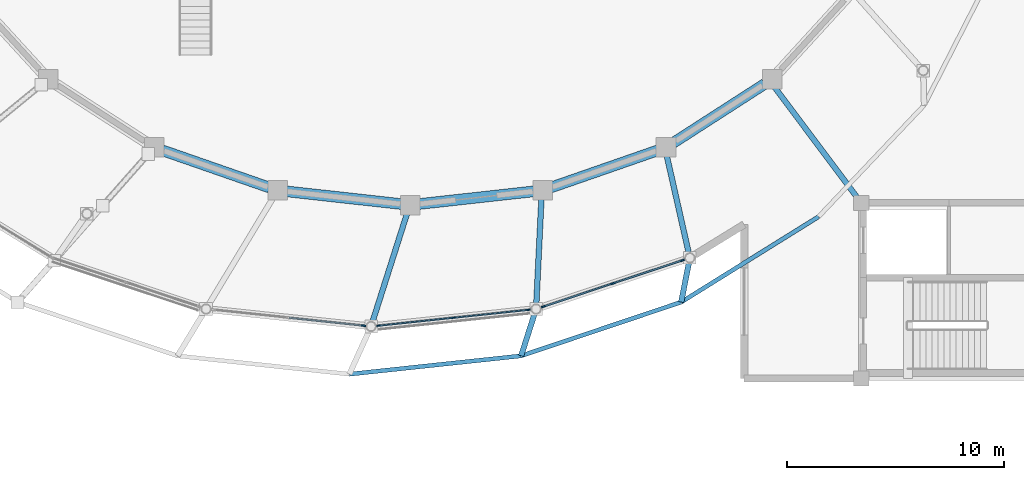
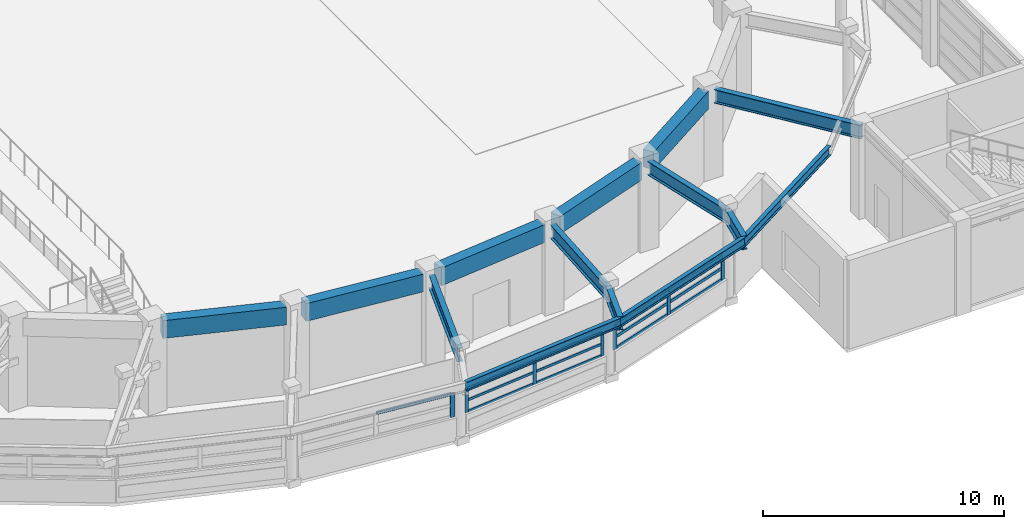
# One storey, part 12 of 56: 20 members, 14 beams, 3 elements without a shape of their own.
"""IFC4 building model written with IfcOpenShell, lengths in metres."""

from ifc_helpers import new_model, si_unit, direction, frame, origin, origin_2d, place, context, subcontext, project, spatial, rectangle, i_section, extrude, material, material_profile, profile_set, type_object, element, aggregate, save


model = new_model("IFC4")

# Units and contexts
model_context = context("Model", 3, precision=1e-05, world=origin(), true_north=direction((0.0, 1.0)))
body_context = subcontext(model_context, "Body", "Model", "MODEL_VIEW")
ifc_project = project(units=[si_unit("LENGTHUNIT", "METRE"), si_unit("AREAUNIT", "SQUARE_METRE"), si_unit("VOLUMEUNIT", "CUBIC_METRE"), si_unit("PLANEANGLEUNIT", "RADIAN"), si_unit("MASSUNIT", "GRAM", prefix="KILO")], contexts=[model_context])

# Site, building, storey
site_placement = place(None, origin())
site = spatial("IfcSite", under=ifc_project, at=site_placement, CompositionType="ELEMENT")
building_placement = place(site_placement, origin())
building = spatial("IfcBuilding", under=site, at=building_placement, Name="Parian Resonance Hall", CompositionType="ELEMENT")
storey_placement = place(building_placement, frame((0.0, 0.0, 5.39990234375)))
storey = spatial("IfcBuildingStorey", under=building, at=storey_placement, Name="L01", CompositionType="ELEMENT", Elevation=5.39990234375)

# Beams
ifc_material_1 = material(Name="Concrete C40/50", Category="concrete")
ifc_material_profile_1 = material_profile(ifc_material_1, rectangle(XDim=0.5, YDim=0.89990234375, at=origin_2d()), Name="RC-BM-500x900")
ifc_profile_set_1 = profile_set([ifc_material_profile_1], Name="Concrete C40/50")
beam_type_1 = type_object("IfcBeamType", Name="BM-RC500x900", PredefinedType="USERDEFINED", material=ifc_profile_set_1)
beam_1_placement = place(storey_placement, frame((32.577880859375, 26.721435546875, 4.080078125), z_axis=(0.944593815742, -0.328241562362, 0.0), x_axis=(0.328241562362, 0.944593815742, 0.0)))
element("IfcBeam", 1, at=beam_1_placement, inside=storey, type_object=beam_type_1, Name="Concert hall drum ring beam L01-17", ObjectType="GIRDER", PredefinedType="USERDEFINED", context=body_context, shape_type="SweptSolid", body=[
    extrude(rectangle(XDim=0.5, YDim=0.89990234375, at=origin_2d()), origin(), (0.0, 0.0, 1.0), 5.225830078125),
])
for number, where, z_axis, x_axis, name in (
    (2, (38.28955078125, 24.830810546875, 4.080078125), (0.993953165009, -0.109804853117, 0.0), (0.109804853117, 0.993953165009, 0.0), "Concert hall drum ring beam L01-18"),
    (3, (44.397705078125, 24.243896484375, 4.080078125), (0.993953165009, 0.109804853117, 0.0), (-0.109804853117, 0.993953165009, 0.0), "Concert hall drum ring beam L01-19"),
):
    element("IfcBeam", number, at=place(storey_placement, frame(where, z_axis=z_axis, x_axis=x_axis)), inside=storey, type_object=beam_type_1, Name=name, ObjectType="GIRDER", PredefinedType="USERDEFINED", context=body_context, shape_type="SweptSolid", body=[
        extrude(rectangle(XDim=0.5, YDim=0.89990234375, at=origin_2d()), origin(), (0.0, 0.0, 1.0), 5.344970703125),
    ])
beam_2_placement = place(storey_placement, frame((50.48583984375, 25.006103515625, 4.080078125), z_axis=(0.944593815742, 0.328241562362, 0.0), x_axis=(-0.328241562362, 0.944593815742, 0.0)))
element("IfcBeam", 4, at=beam_2_placement, inside=storey, type_object=beam_type_1, Name="Concert hall drum ring beam L01-20", ObjectType="GIRDER", PredefinedType="USERDEFINED", context=body_context, shape_type="SweptSolid", body=[
    extrude(rectangle(XDim=0.5, YDim=0.89990234375, at=origin_2d()), origin(), (0.0, 0.0, 1.0), 5.225830078125),
])
beam_3_placement = place(storey_placement, frame((56.13623046875, 27.069091796875, 4.080078125), z_axis=(0.840822266108, 0.541311293819, 0.0), x_axis=(-0.541311293819, 0.840822266108, 0.0)))
element("IfcBeam", 5, at=beam_3_placement, inside=storey, type_object=beam_type_1, Name="Concert hall drum ring beam L01-21", ObjectType="GIRDER", PredefinedType="USERDEFINED", context=body_context, shape_type="SweptSolid", body=[
    extrude(rectangle(XDim=0.5, YDim=0.89990234375, at=origin_2d()), origin(), (0.0, 0.0, 1.0), 5.012939453125),
])
ifc_material_2 = material(Name="Steel S355", Category="steel")
ifc_material_profile_2 = material_profile(ifc_material_2, i_section(OverallWidth=0.194091796875, OverallDepth=0.468994140625, WebThickness=0.0126953125, FlangeThickness=0.0205078125, FilletRadius=0.01513671875, at=origin_2d()), Name="W460x106")
ifc_profile_set_2 = profile_set([ifc_material_profile_2], Name="Steel S355")
beam_type_2 = type_object("IfcBeamType", Name="BM-W460x106", PredefinedType="SPANDREL", material=ifc_profile_set_2)
beam_4_placement = place(storey_placement, frame((41.199951171875, 16.39990234375, 4.295654296875), z_axis=(0.99435359569, 0.106117513819, 0.0), x_axis=(-0.106117513819, 0.99435359569, 0.0)))
element("IfcBeam", 6, at=beam_4_placement, inside=storey, type_object=beam_type_2, Name="Elliptical R2 perimeter spandrel beam 19", PredefinedType="SPANDREL", context=body_context, shape_type="SweptSolid", body=[
    extrude(i_section(OverallWidth=0.194091796875, OverallDepth=0.468994140625, WebThickness=0.0126953125, FlangeThickness=0.0205078125, FilletRadius=0.01513671875, at=origin_2d()), origin(), (0.0, 0.0, 1.0), 7.96484375),
])
beam_5_placement = place(storey_placement, frame((49.119873046875, 17.2451171875, 4.295654296875), z_axis=(0.948006883481, 0.318249821481, 0.0), x_axis=(-0.318249821481, 0.948006883481, 0.0)))
element("IfcBeam", 7, at=beam_5_placement, inside=storey, type_object=beam_type_2, Name="Elliptical R2 perimeter spandrel beam 20", PredefinedType="SPANDREL", context=body_context, shape_type="SweptSolid", body=[
    extrude(i_section(OverallWidth=0.194091796875, OverallDepth=0.468994140625, WebThickness=0.0126953125, FlangeThickness=0.0205078125, FilletRadius=0.01513671875, at=origin_2d()), origin(), (0.0, 0.0, 1.0), 7.784912109375),
])
beam_6_placement = place(storey_placement, frame((56.5, 19.72265625, 4.295654296875), z_axis=(0.849183428044, 0.528098007509, 0.0), x_axis=(-0.528098007509, 0.849183428044, 0.0)))
element("IfcBeam", 8, at=beam_6_placement, inside=storey, type_object=beam_type_2, Name="Elliptical R2 perimeter spandrel beam 21", PredefinedType="SPANDREL", context=body_context, shape_type="SweptSolid", body=[
    extrude(i_section(OverallWidth=0.194091796875, OverallDepth=0.468994140625, WebThickness=0.0126953125, FlangeThickness=0.0205078125, FilletRadius=0.01513671875, at=origin_2d()), origin(), (0.0, 0.0, 1.0), 7.462890625),
])
ifc_material_3 = material(Name="Steel S355", Category="steel")
ifc_material_profile_3 = material_profile(ifc_material_3, i_section(OverallWidth=0.256103515625, OverallDepth=0.693115234375, WebThickness=0.014404296875, FlangeThickness=0.023681640625, FilletRadius=0.020263671875, at=origin_2d()), Name="W690x170")
ifc_profile_set_3 = profile_set([ifc_material_profile_3], Name="Steel S355")
beam_type_3 = type_object("IfcBeamType", Name="CG2 W690x170", PredefinedType="USERDEFINED", material=ifc_profile_set_3)
beam_7_placement = place(storey_placement, frame((43.864990234375, 23.823486328125, 4.18359375), z_axis=(-0.303709091835, -0.952764812289, 0.0), x_axis=(0.952764812289, -0.303709091835, 0.0)))
element("IfcBeam", 9, at=beam_7_placement, inside=storey, type_object=beam_type_3, Name="Radial ring back-span girder R2-19", ObjectType="GIRDER", PredefinedType="USERDEFINED", context=body_context, shape_type="SweptSolid", body=[
    extrude(i_section(OverallWidth=0.256103515625, OverallDepth=0.693115234375, WebThickness=0.014404296875, FlangeThickness=0.023681640625, FilletRadius=0.020263671875, at=origin_2d()), origin(), (0.0, 0.0, 1.0), 5.482421875),
])
beam_8_placement = place(storey_placement, frame((50.056640625, 24.47802734375, 4.18359375), z_axis=(-0.048686300763, -0.998814118902, 0.0), x_axis=(0.998814118902, -0.048686300763, 0.0)))
element("IfcBeam", 10, at=beam_8_placement, inside=storey, type_object=beam_type_3, Name="Radial ring back-span girder R2-20", ObjectType="GIRDER", PredefinedType="USERDEFINED", context=body_context, shape_type="SweptSolid", body=[
    extrude(i_section(OverallWidth=0.256103515625, OverallDepth=0.693115234375, WebThickness=0.014404296875, FlangeThickness=0.023681640625, FilletRadius=0.020263671875, at=origin_2d()), origin(), (0.0, 0.0, 1.0), 5.079833984375),
])
beam_9_placement = place(storey_placement, frame((49.809326171875, 19.404296875, 4.18359375), z_axis=(-0.304181604647, -0.952614062144, 0.0), x_axis=(0.952614062144, -0.304181604647, 0.0)))
element("IfcBeam", 11, at=beam_9_placement, inside=storey, type_object=beam_type_3, Name="Radial ring cantilever girder R2-20", ObjectType="GIRDER", PredefinedType="USERDEFINED", context=body_context, shape_type="SweptSolid", body=[
    extrude(i_section(OverallWidth=0.256103515625, OverallDepth=0.693115234375, WebThickness=0.014404296875, FlangeThickness=0.023681640625, FilletRadius=0.020263671875, at=origin_2d()), origin(), (0.0, 0.0, 1.0), 2.2666015625),
])
beam_10_placement = place(storey_placement, frame((55.839111328125, 26.45458984375, 4.18359375), z_axis=(0.220480469615, -0.975391389401, 0.0), x_axis=(0.975391389401, 0.220480469615, 0.0)))
element("IfcBeam", 12, at=beam_10_placement, inside=storey, type_object=beam_type_3, Name="Radial ring back-span girder R2-21", ObjectType="GIRDER", PredefinedType="USERDEFINED", context=body_context, shape_type="SweptSolid", body=[
    extrude(i_section(OverallWidth=0.256103515625, OverallDepth=0.693115234375, WebThickness=0.014404296875, FlangeThickness=0.023681640625, FilletRadius=0.020263671875, at=origin_2d()), origin(), (0.0, 0.0, 1.0), 4.811279296875),
])
beam_11_placement = place(storey_placement, frame((56.89990234375, 21.76171875, 4.18359375), z_axis=(-0.19245439357, -0.981305918863, 0.0), x_axis=(0.981305918863, -0.19245439357, 0.0)))
element("IfcBeam", 13, at=beam_11_placement, inside=storey, type_object=beam_type_3, Name="Radial ring cantilever girder R2-21", ObjectType="GIRDER", PredefinedType="USERDEFINED", context=body_context, shape_type="SweptSolid", body=[
    extrude(i_section(OverallWidth=0.256103515625, OverallDepth=0.693115234375, WebThickness=0.014404296875, FlangeThickness=0.023681640625, FilletRadius=0.020263671875, at=origin_2d()), origin(), (0.0, 0.0, 1.0), 2.077880859375),
])
beam_12_placement = place(storey_placement, frame((60.816162109375, 29.62060546875, 4.18359375), z_axis=(0.599370985665, -0.800471374593, 0.0), x_axis=(0.800471374593, 0.599370985665, 0.0)))
element("IfcBeam", 14, at=beam_12_placement, inside=storey, type_object=beam_type_3, Name="Radial spine girder R2-22", ObjectType="GIRDER", PredefinedType="USERDEFINED", context=body_context, shape_type="SweptSolid", body=[
    extrude(i_section(OverallWidth=0.256103515625, OverallDepth=0.693115234375, WebThickness=0.014404296875, FlangeThickness=0.023681640625, FilletRadius=0.020263671875, at=origin_2d()), origin(), (0.0, 0.0, 1.0), 6.646728515625),
])

# Curtain wall, members
ifc_material_4 = material(Name="Bronze-anodised aluminium frame", Category="aluminium")
curtain_wall_type_1 = type_object("IfcCurtainWallType", Name="CW-SYS-01", PredefinedType="NOTDEFINED", material=ifc_material_4)
curtain_wall_1_placement = place(storey_placement, origin())
curtain_wall_1 = element("IfcCurtainWall", 15, at=curtain_wall_1_placement, inside=storey, type_object=curtain_wall_type_1, Name="Elliptical R1 recessed strip curtain wall 19", PredefinedType="NOTDEFINED")
ifc_material_5 = material(Name="Bronze-anodised aluminium frame", Category="aluminium")
ifc_material_profile_4 = material_profile(ifc_material_5, rectangle(XDim=0.06494140625, YDim=0.159912109375, at=origin_2d()), Name="CWM-65x160")
ifc_profile_set_4 = profile_set([ifc_material_profile_4], Name="Bronze-anodised aluminium frame")
member_type_1 = type_object("IfcMemberType", Name="CWM-65x160", PredefinedType="MULLION", material=ifc_profile_set_4)
member_1_placement = place(storey_placement, frame((49.468505859375, 19.3681640625, 1.14208984375), z_axis=(0.0, 0.0, 1.0), x_axis=(0.105102324563, -0.994461412711, 0.0)))
member_1 = element("IfcMember", 16, at=member_1_placement, type_object=member_type_1, Name="CW-01 mullion 1", PredefinedType="MULLION", context=body_context, shape_type="SweptSolid", body=[
    extrude(rectangle(XDim=0.06494140625, YDim=0.159912109375, at=origin_2d()), origin(), (0.0, 0.0, 1.0), 1.218017578125),
])
member_2_placement = place(storey_placement, frame((46.004638671875, 19.002197265625, 1.14208984375), z_axis=(0.0, 0.0, 1.0), x_axis=(0.105102324563, -0.994461412711, 0.0)))
member_2 = element("IfcMember", 17, at=member_2_placement, type_object=member_type_1, Name="CW-01 mullion 2", PredefinedType="MULLION", context=body_context, shape_type="SweptSolid", body=[
    extrude(rectangle(XDim=0.06494140625, YDim=0.159912109375, at=origin_2d()), origin(), (0.0, 0.0, 1.0), 1.218017578125),
])
member_3_placement = place(storey_placement, frame((42.540771484375, 18.635986328125, 1.14208984375), z_axis=(0.0, 0.0, 1.0), x_axis=(0.105102324563, -0.994461412711, 0.0)))
member_3 = element("IfcMember", 18, at=member_3_placement, type_object=member_type_1, Name="CW-01 mullion 3", PredefinedType="MULLION", context=body_context, shape_type="SweptSolid", body=[
    extrude(rectangle(XDim=0.06494140625, YDim=0.159912109375, at=origin_2d()), origin(), (0.0, 0.0, 1.0), 1.218017578125),
])

# Curtain wall, member
ifc_material_6 = material(Name="Bronze-anodised aluminium frame", Category="aluminium")
curtain_wall_type_2 = type_object("IfcCurtainWallType", Name="CW-SYS-06", PredefinedType="NOTDEFINED", material=ifc_material_6)
curtain_wall_2_placement = place(storey_placement, origin())
curtain_wall_2 = element("IfcCurtainWall", 19, at=curtain_wall_2_placement, inside=storey, type_object=curtain_wall_type_2, Name="Elliptical R1 recessed strip curtain wall 18", PredefinedType="NOTDEFINED")
ifc_material_7 = material(Name="Bronze-anodised aluminium frame", Category="aluminium")
ifc_material_profile_5 = material_profile(ifc_material_7, rectangle(XDim=0.074951171875, YDim=0.199951171875, at=origin_2d()), Name="CWM-75x200")
ifc_profile_set_5 = profile_set([ifc_material_profile_5], Name="Bronze-anodised aluminium frame")
member_type_2 = type_object("IfcMemberType", Name="CWM-75x200", PredefinedType="MULLION", material=ifc_profile_set_5)
member_4_placement = place(storey_placement, frame((41.854248046875, 18.636474609375, 1.14208984375), z_axis=(0.0, 0.0, 1.0), x_axis=(-0.105102324563, -0.994461412711, 0.0)))
member_4 = element("IfcMember", 20, at=member_4_placement, type_object=member_type_2, Name="CW-06 mullion 1", PredefinedType="MULLION", context=body_context, shape_type="SweptSolid", body=[
    extrude(rectangle(XDim=0.074951171875, YDim=0.199951171875, at=origin_2d()), origin(), (0.0, 0.0, 1.0), 1.218017578125),
])

# Curtain wall, members
ifc_material_8 = material(Name="Bronze-anodised aluminium frame", Category="aluminium")
curtain_wall_type_3 = type_object("IfcCurtainWallType", Name="CW-SYS-02", PredefinedType="NOTDEFINED", material=ifc_material_8)
curtain_wall_3_placement = place(storey_placement, origin())
curtain_wall_3 = element("IfcCurtainWall", 21, at=curtain_wall_3_placement, inside=storey, type_object=curtain_wall_type_3, Name="Elliptical R1 recessed strip curtain wall 20", PredefinedType="NOTDEFINED")
member_5_placement = place(storey_placement, frame((56.555908203125, 21.6474609375, 1.14208984375), z_axis=(0.0, 0.0, 1.0), x_axis=(0.315502094934, -0.94892488011, 0.0)))
member_5 = element("IfcMember", 22, at=member_5_placement, type_object=member_type_2, Name="CW-02 mullion 1", PredefinedType="MULLION", context=body_context, shape_type="SweptSolid", body=[
    extrude(rectangle(XDim=0.074951171875, YDim=0.199951171875, at=origin_2d()), origin(), (0.0, 0.0, 1.0), 1.218017578125),
])
member_6_placement = place(storey_placement, frame((53.354736328125, 20.5830078125, 1.14208984375), z_axis=(0.0, 0.0, 1.0), x_axis=(0.315502094934, -0.94892488011, 0.0)))
member_6 = element("IfcMember", 23, at=member_6_placement, type_object=member_type_2, Name="CW-02 mullion 2", PredefinedType="MULLION", context=body_context, shape_type="SweptSolid", body=[
    extrude(rectangle(XDim=0.074951171875, YDim=0.199951171875, at=origin_2d()), origin(), (0.0, 0.0, 1.0), 1.218017578125),
])
member_7_placement = place(storey_placement, frame((50.1533203125, 19.5185546875, 1.14208984375), z_axis=(0.0, 0.0, 1.0), x_axis=(0.315502094934, -0.94892488011, 0.0)))
member_7 = element("IfcMember", 24, at=member_7_placement, type_object=member_type_2, Name="CW-02 mullion 3", PredefinedType="MULLION", context=body_context, shape_type="SweptSolid", body=[
    extrude(rectangle(XDim=0.074951171875, YDim=0.199951171875, at=origin_2d()), origin(), (0.0, 0.0, 1.0), 1.218017578125),
])

# Member
ifc_material_9 = material(Name="Bronze-anodised aluminium frame", Category="aluminium")
ifc_material_profile_6 = material_profile(ifc_material_9, rectangle(XDim=0.06494140625, YDim=0.1201171875, at=origin_2d()), Name="CWT-65x120")
ifc_profile_set_6 = profile_set([ifc_material_profile_6], Name="Bronze-anodised aluminium frame")
member_type_3 = type_object("IfcMemberType", Name="CWT-65x120", PredefinedType="USERDEFINED", material=ifc_profile_set_6)
member_8_placement = place(storey_placement, frame((49.436279296875, 19.36474609375, 1.174560546875), z_axis=(-0.994465855896, -0.105060275354, 0.0), x_axis=(0.105060275354, -0.994465855896, 0.0)))
member_8 = element("IfcMember", 25, at=member_8_placement, type_object=member_type_3, Name="CW-01 transom 1.1", ObjectType="TRANSOM", PredefinedType="USERDEFINED", context=body_context, shape_type="SweptSolid", body=[
    extrude(rectangle(XDim=0.06494140625, YDim=0.1201171875, at=origin_2d()), origin(), (0.0, 0.0, 1.0), 3.418212890625),
])

member_9_placement = place(storey_placement, frame((49.436279296875, 19.36474609375, 1.75), z_axis=(-0.994465855896, -0.105060275354, 0.0), x_axis=(0.105060275354, -0.994465855896, 0.0)))
member_9 = element("IfcMember", 26, at=member_9_placement, type_object=member_type_3, Name="CW-01 transom 1.2", ObjectType="TRANSOM", PredefinedType="USERDEFINED", context=body_context, shape_type="SweptSolid", body=[
    extrude(rectangle(XDim=0.06494140625, YDim=0.1201171875, at=origin_2d()), origin(), (0.0, 0.0, 1.0), 3.418212890625),
])

member_10_placement = place(storey_placement, frame((49.436279296875, 19.36474609375, 2.32763671875), z_axis=(-0.994465855896, -0.105060275354, 0.0), x_axis=(0.105060275354, -0.994465855896, 0.0)))
member_10 = element("IfcMember", 27, at=member_10_placement, type_object=member_type_3, Name="CW-01 transom 1.3", ObjectType="TRANSOM", PredefinedType="USERDEFINED", context=body_context, shape_type="SweptSolid", body=[
    extrude(rectangle(XDim=0.06494140625, YDim=0.1201171875, at=origin_2d()), origin(), (0.0, 0.0, 1.0), 3.418212890625),
])

member_11_placement = place(storey_placement, frame((45.972412109375, 18.998779296875, 1.174560546875), z_axis=(-0.994457602001, -0.105138374642, 0.0), x_axis=(0.105138374642, -0.994457602001, 0.0)))
member_11 = element("IfcMember", 28, at=member_11_placement, type_object=member_type_3, Name="CW-01 transom 2.1", ObjectType="TRANSOM", PredefinedType="USERDEFINED", context=body_context, shape_type="SweptSolid", body=[
    extrude(rectangle(XDim=0.06494140625, YDim=0.1201171875, at=origin_2d()), origin(), (0.0, 0.0, 1.0), 3.418212890625),
])

member_12_placement = place(storey_placement, frame((45.972412109375, 18.998779296875, 1.75), z_axis=(-0.994457602001, -0.105138374642, 0.0), x_axis=(0.105138374642, -0.994457602001, 0.0)))
member_12 = element("IfcMember", 29, at=member_12_placement, type_object=member_type_3, Name="CW-01 transom 2.2", ObjectType="TRANSOM", PredefinedType="USERDEFINED", context=body_context, shape_type="SweptSolid", body=[
    extrude(rectangle(XDim=0.06494140625, YDim=0.1201171875, at=origin_2d()), origin(), (0.0, 0.0, 1.0), 3.418212890625),
])

member_13_placement = place(storey_placement, frame((45.972412109375, 18.998779296875, 2.32763671875), z_axis=(-0.994457602001, -0.105138374642, 0.0), x_axis=(0.105138374642, -0.994457602001, 0.0)))
member_13 = element("IfcMember", 30, at=member_13_placement, type_object=member_type_3, Name="CW-01 transom 2.3", ObjectType="TRANSOM", PredefinedType="USERDEFINED", context=body_context, shape_type="SweptSolid", body=[
    extrude(rectangle(XDim=0.06494140625, YDim=0.1201171875, at=origin_2d()), origin(), (0.0, 0.0, 1.0), 3.418212890625),
])

aggregate(curtain_wall_1, [member_1, member_2, member_3, member_8, member_9, member_10, member_11, member_12, member_13])

ifc_material_10 = material(Name="Bronze-anodised aluminium frame", Category="aluminium")
ifc_material_profile_7 = material_profile(ifc_material_10, rectangle(XDim=0.074951171875, YDim=0.14990234375, at=origin_2d()), Name="CWT-75x150")
ifc_profile_set_7 = profile_set([ifc_material_profile_7], Name="Bronze-anodised aluminium frame")
member_type_4 = type_object("IfcMemberType", Name="CWT-75x150", PredefinedType="USERDEFINED", material=ifc_profile_set_7)
member_14_placement = place(storey_placement, frame((41.81689453125, 18.640380859375, 2.322509765625), z_axis=(-0.994461732808, 0.105099295813, 0.0), x_axis=(-0.105099295813, -0.994461732808, 0.0)))
member_14 = element("IfcMember", 31, at=member_14_placement, type_object=member_type_4, Name="CW-06 transom 1.3", ObjectType="TRANSOM", PredefinedType="USERDEFINED", context=body_context, shape_type="SweptSolid", body=[
    extrude(rectangle(XDim=0.074951171875, YDim=0.14990234375, at=origin_2d()), origin(), (0.0, 0.0, 1.0), 3.403076171875),
])

aggregate(curtain_wall_2, [member_4, member_14])

member_15_placement = place(storey_placement, frame((56.520263671875, 21.635498046875, 1.1796875), z_axis=(-0.948919873374, -0.315517153123, 0.0), x_axis=(0.315517153123, -0.948919873374, 0.0)))
member_15 = element("IfcMember", 32, at=member_15_placement, type_object=member_type_4, Name="CW-02 transom 1.1", ObjectType="TRANSOM", PredefinedType="USERDEFINED", context=body_context, shape_type="SweptSolid", body=[
    extrude(rectangle(XDim=0.074951171875, YDim=0.14990234375, at=origin_2d()), origin(), (0.0, 0.0, 1.0), 3.298583984375),
])

member_16_placement = place(storey_placement, frame((56.520263671875, 21.635498046875, 1.75), z_axis=(-0.948919873374, -0.315517153123, 0.0), x_axis=(0.315517153123, -0.948919873374, 0.0)))
member_16 = element("IfcMember", 33, at=member_16_placement, type_object=member_type_4, Name="CW-02 transom 1.2", ObjectType="TRANSOM", PredefinedType="USERDEFINED", context=body_context, shape_type="SweptSolid", body=[
    extrude(rectangle(XDim=0.074951171875, YDim=0.14990234375, at=origin_2d()), origin(), (0.0, 0.0, 1.0), 3.298583984375),
])

member_17_placement = place(storey_placement, frame((56.520263671875, 21.635498046875, 2.322509765625), z_axis=(-0.948919873374, -0.315517153123, 0.0), x_axis=(0.315517153123, -0.948919873374, 0.0)))
member_17 = element("IfcMember", 34, at=member_17_placement, type_object=member_type_4, Name="CW-02 transom 1.3", ObjectType="TRANSOM", PredefinedType="USERDEFINED", context=body_context, shape_type="SweptSolid", body=[
    extrude(rectangle(XDim=0.074951171875, YDim=0.14990234375, at=origin_2d()), origin(), (0.0, 0.0, 1.0), 3.298583984375),
])

member_18_placement = place(storey_placement, frame((53.319091796875, 20.5712890625, 1.1796875), z_axis=(-0.948919873374, -0.315517153123, 0.0), x_axis=(0.315517153123, -0.948919873374, 0.0)))
member_18 = element("IfcMember", 35, at=member_18_placement, type_object=member_type_4, Name="CW-02 transom 2.1", ObjectType="TRANSOM", PredefinedType="USERDEFINED", context=body_context, shape_type="SweptSolid", body=[
    extrude(rectangle(XDim=0.074951171875, YDim=0.14990234375, at=origin_2d()), origin(), (0.0, 0.0, 1.0), 3.298583984375),
])

member_19_placement = place(storey_placement, frame((53.319091796875, 20.5712890625, 1.75), z_axis=(-0.948919873374, -0.315517153123, 0.0), x_axis=(0.315517153123, -0.948919873374, 0.0)))
member_19 = element("IfcMember", 36, at=member_19_placement, type_object=member_type_4, Name="CW-02 transom 2.2", ObjectType="TRANSOM", PredefinedType="USERDEFINED", context=body_context, shape_type="SweptSolid", body=[
    extrude(rectangle(XDim=0.074951171875, YDim=0.14990234375, at=origin_2d()), origin(), (0.0, 0.0, 1.0), 3.298583984375),
])

member_20_placement = place(storey_placement, frame((53.319091796875, 20.5712890625, 2.322509765625), z_axis=(-0.948919873374, -0.315517153123, 0.0), x_axis=(0.315517153123, -0.948919873374, 0.0)))
member_20 = element("IfcMember", 37, at=member_20_placement, type_object=member_type_4, Name="CW-02 transom 2.3", ObjectType="TRANSOM", PredefinedType="USERDEFINED", context=body_context, shape_type="SweptSolid", body=[
    extrude(rectangle(XDim=0.074951171875, YDim=0.14990234375, at=origin_2d()), origin(), (0.0, 0.0, 1.0), 3.298583984375),
])

aggregate(curtain_wall_3, [member_5, member_6, member_7, member_15, member_16, member_17, member_18, member_19, member_20])

save(model, "model.ifc")
